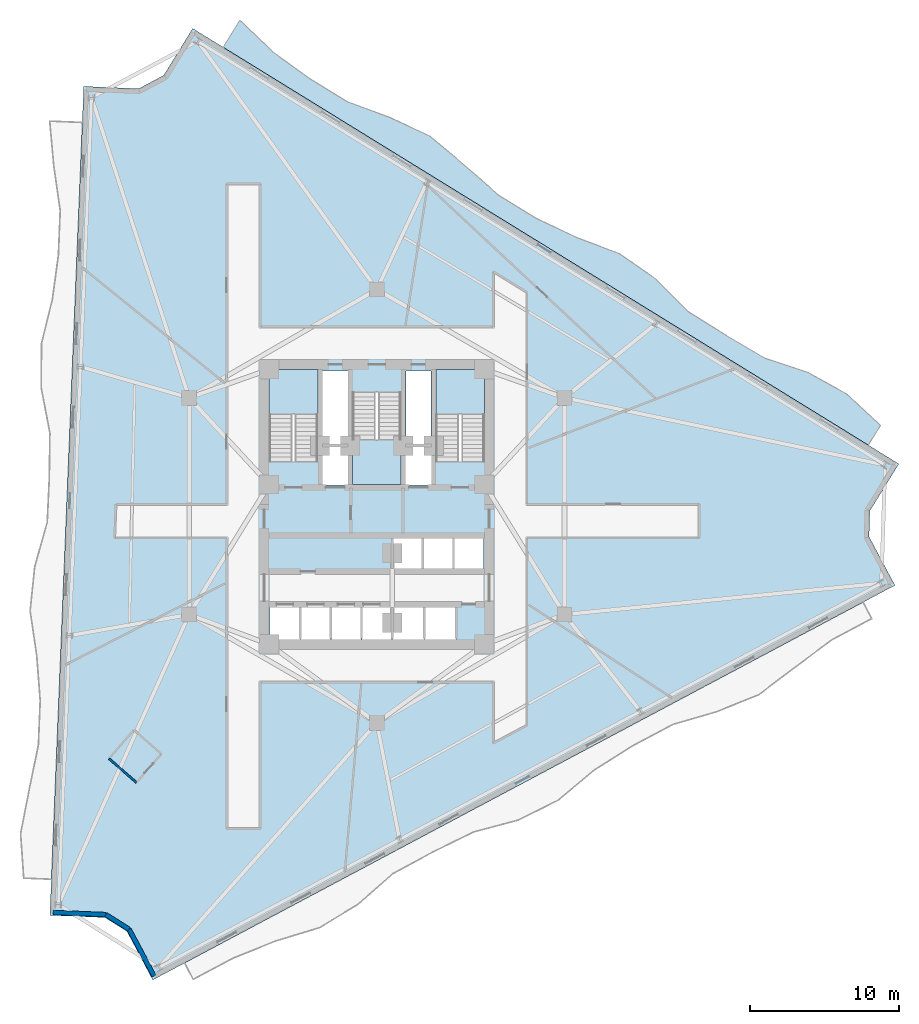
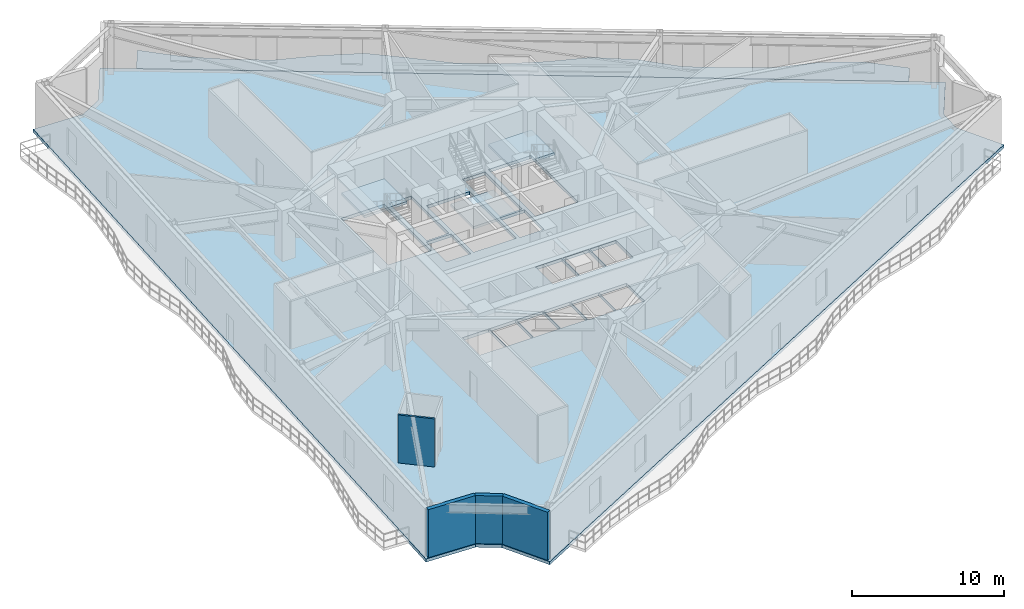
# One storey, part 4 of 12: 5 slabs, 4 walls, 3 elements without a shape of their own.
"""IFC4 building model written with IfcOpenShell, lengths in metres."""

from ifc_helpers import new_model, si_unit, direction, frame, frame_2d, origin, place, context, subcontext, project, spatial, polyline, rectangle, outline, extrude, material, layer, layer_set, type_object, element, aggregate, save


model = new_model("IFC4")

# Units and contexts
model_context = context("Model", 3, precision=1e-05, world=origin(), true_north=direction((0.0, 1.0)))
body_context = subcontext(model_context, "Body", "Model", "MODEL_VIEW")
ifc_project = project(units=[si_unit("LENGTHUNIT", "METRE"), si_unit("AREAUNIT", "SQUARE_METRE"), si_unit("VOLUMEUNIT", "CUBIC_METRE"), si_unit("PLANEANGLEUNIT", "RADIAN"), si_unit("MASSUNIT", "GRAM", prefix="KILO")], contexts=[model_context])

# Site, building, storey
site_placement = place(None, origin())
site = spatial("IfcSite", under=ifc_project, at=site_placement, CompositionType="ELEMENT")
building_placement = place(site_placement, origin())
building = spatial("IfcBuilding", under=site, at=building_placement, Name="Apsidion Concourse Tower", CompositionType="ELEMENT")
storey_placement = place(building_placement, frame((0.0, 0.0, 181.89990234375)))
storey = spatial("IfcBuildingStorey", under=building, at=storey_placement, Name="L42", CompositionType="ELEMENT", Elevation=181.89990234375)

# Slabs
ifc_material_1 = material(Name="Concrete C50/60", Category="concrete")
ifc_layer_1 = layer(ifc_material_1, 0.219970703125)
ifc_layer_set_1 = layer_set([ifc_layer_1], Name="Concrete C50/60")
slab_type_1 = type_object("IfcSlabType", Name="SL-BAL-220", PredefinedType="FLOOR", material=ifc_layer_set_1)
slab_1_placement = place(storey_placement, frame((0.0, 0.0, -0.219970703125)))
element("IfcSlab", 1, at=slab_1_placement, inside=storey, type_object=slab_type_1, Name="L42 Face 3 Rippling Balcony Slab", PredefinedType="FLOOR", context=body_context, shape_type="SweptSolid", body=[
    extrude(outline(polyline([(32.885498046875, 4.086669921875), (30.346435546875, 5.652587890625), (27.8076171875, 7.21826171875), (25.2685546875, 8.783935546875), (22.7294921875, 10.349609375), (20.1904296875, 11.91552734375), (17.651611328125, 13.481201171875), (15.112548828125, 15.047119140625), (12.573486328125, 16.61279296875), (10.034423828125, 18.178466796875), (7.495361328125, 19.744140625), (4.956298828125, 21.31005859375), (2.41748046875, 22.875732421875), (-0.12158203125, 24.44140625), (-2.66064453125, 26.007080078125), (-5.19970703125, 27.572998046875), (-7.738525390625, 29.138671875), (-10.277587890625, 30.70458984375), (-9.16552734375, 32.507568359375), (-6.96142578125, 30.39892578125), (-4.54345703125, 28.636962890625), (-2.00439453125, 27.0712890625), (0.849609375, 26.01611328125), (3.571044921875, 24.74658203125), (5.877197265625, 22.802978515625), (8.151611328125, 20.80810546875), (10.690673828125, 19.242431640625), (13.4052734375, 17.961669921875), (16.2470703125, 16.88671875), (18.6962890625, 15.17578125), (20.863037109375, 13.006103515625), (23.385498046875, 11.413818359375), (25.9580078125, 9.90185546875), (28.865478515625, 8.93408203125), (31.474365234375, 7.4814453125), (33.69921875, 5.406005859375), (32.885498046875, 4.086669921875)])), origin(), (0.0, 0.0, 1.0), 0.219970703125),
])
ifc_layer_2 = layer(ifc_material_1, 0.25)
ifc_layer_set_2 = layer_set([ifc_layer_2], Name="Concrete C50/60")
slab_type_2 = type_object("IfcSlabType", Name="SL-FLR-250", PredefinedType="FLOOR", material=ifc_layer_set_2)
slab_2_placement = place(storey_placement, frame((0.0, 0.0, -0.25)))
element("IfcSlab", 2, at=slab_2_placement, inside=storey, type_object=slab_type_2, Name="L42 Structural Floor Slab", PredefinedType="FLOOR", context=body_context, shape_type="SweptSolid", body=[
    extrude(outline(polyline([(-12.3203125, 31.964111328125), (-14.256103515625, 28.824951171875), (-15.925048828125, 27.937744140625), (-19.610107421875, 28.088134765625), (-21.87548828125, -27.376220703125), (-18.1904296875, -27.526611328125), (-16.724609375, -28.448486328125), (-14.9931640625, -31.705078125), (34.668701171875, -5.29931640625), (32.937255859375, -2.04296875), (32.992431640625, -0.31201171875), (34.92822265625, 2.826904296875), (-12.3203125, 31.964111328125)]), holes=[polyline([(-3.949951171875, 3.0), (-3.949951171875, 9.14990234375), (-7.199951171875, 9.14990234375), (-7.199951171875, 3.0), (-3.949951171875, 3.0)]), polyline([(7.199951171875, 3.0), (7.199951171875, 9.14990234375), (3.949951171875, 9.14990234375), (3.949951171875, 3.0), (7.199951171875, 3.0)]), polyline([(-1.625, 7.60009765625), (-1.625, 1.449951171875), (1.625, 1.449951171875), (1.625, 7.60009765625), (-1.625, 7.60009765625)]), polyline([(1.054931640625, -4.300048828125), (3.044921875, -4.300048828125), (3.044921875, -2.050048828125), (1.054931640625, -2.050048828125), (1.054931640625, -4.300048828125)]), polyline([(3.10498046875, -4.300048828125), (5.094970703125, -4.300048828125), (5.094970703125, -2.050048828125), (3.10498046875, -2.050048828125), (3.10498046875, -4.300048828125)]), polyline([(5.155029296875, -4.300048828125), (7.14501953125, -4.300048828125), (7.14501953125, -2.050048828125), (5.155029296875, -2.050048828125), (5.155029296875, -4.300048828125)]), polyline([(-7.14501953125, -8.949951171875), (-5.155029296875, -8.949951171875), (-5.155029296875, -6.64990234375), (-7.14501953125, -6.64990234375), (-7.14501953125, -8.949951171875)]), polyline([(-5.094970703125, -8.949951171875), (-3.10498046875, -8.949951171875), (-3.10498046875, -6.64990234375), (-5.094970703125, -6.64990234375), (-5.094970703125, -8.949951171875)]), polyline([(-3.044921875, -8.949951171875), (-1.054931640625, -8.949951171875), (-1.054931640625, -6.64990234375), (-3.044921875, -6.64990234375), (-3.044921875, -8.949951171875)]), polyline([(-0.9951171875, -8.949951171875), (0.9951171875, -8.949951171875), (0.9951171875, -6.64990234375), (-0.9951171875, -6.64990234375), (-0.9951171875, -8.949951171875)]), polyline([(1.044921875, -9.0), (3.155029296875, -9.0), (3.155029296875, -6.64990234375), (1.044921875, -6.64990234375), (1.044921875, -9.0)]), polyline([(3.195068359375, -9.0), (5.304931640625, -9.0), (5.304931640625, -6.64990234375), (3.195068359375, -6.64990234375), (3.195068359375, -9.0)]), polyline([(-3.7099609375, 1.39990234375), (-1.85009765625, 1.39990234375), (-1.85009765625, 4.0), (-3.7099609375, 4.0), (-3.7099609375, 1.39990234375)]), polyline([(1.85009765625, 1.39990234375), (3.7099609375, 1.39990234375), (3.7099609375, 4.0), (1.85009765625, 4.0), (1.85009765625, 1.39990234375)]), polyline([(-3.6201171875, 4.14990234375), (-1.93994140625, 4.14990234375), (-1.93994140625, 9.050048828125), (-3.6201171875, 9.050048828125), (-3.6201171875, 4.14990234375)]), polyline([(1.93994140625, 4.14990234375), (3.6201171875, 4.14990234375), (3.6201171875, 9.050048828125), (1.93994140625, 9.050048828125), (1.93994140625, 4.14990234375)])]), origin(), (0.0, 0.0, 1.0), 0.25),
])

# Stair, slab
ifc_material_2 = material(Name="Precast concrete C40/50", Category="concrete")
stair_type = type_object("IfcStairType", Name="ST-DL-1550", PredefinedType="HALF_TURN_STAIR", material=ifc_material_2)
stair_1_placement = place(storey_placement, origin())
stair_1 = element("IfcStair", 3, at=stair_1_placement, inside=storey, type_object=stair_type, Name="L42 Protected Core Exit Stair ST1", PredefinedType="HALF_TURN_STAIR")
ifc_layer_3 = layer(ifc_material_1, 0.199951171875)
ifc_layer_set_3 = layer_set([ifc_layer_3], Name="Concrete C50/60")
slab_type_3 = type_object("IfcSlabType", Name="SL-ST-LAND-200", PredefinedType="LANDING", material=ifc_layer_set_3)
slab_3_placement = place(storey_placement, frame((0.0, 0.0, 1.85009765625)))
slab_3 = element("IfcSlab", 4, at=slab_3_placement, type_object=slab_type_3, Name="ST1 landing 1", PredefinedType="LANDING", context=body_context, shape_type="SweptSolid", body=[
    extrude(outline(polyline([(-3.949951171875, 6.135009765625), (-3.949951171875, 9.14990234375), (-7.199951171875, 9.14990234375), (-7.199951171875, 6.135009765625), (-3.949951171875, 6.135009765625)])), origin(), (0.0, 0.0, 1.0), 0.199951171875),
])
aggregate(stair_1, [slab_3])

stair_2_placement = place(storey_placement, origin())
stair_2 = element("IfcStair", 5, at=stair_2_placement, inside=storey, type_object=stair_type, Name="L42 Protected Core Exit Stair ST2", PredefinedType="HALF_TURN_STAIR")
slab_4_placement = place(storey_placement, frame((0.0, 0.0, 1.85009765625)))
slab_4 = element("IfcSlab", 6, at=slab_4_placement, type_object=slab_type_3, Name="ST2 landing 1", PredefinedType="LANDING", context=body_context, shape_type="SweptSolid", body=[
    extrude(outline(polyline([(7.199951171875, 6.135009765625), (7.199951171875, 9.14990234375), (3.949951171875, 9.14990234375), (3.949951171875, 6.135009765625), (7.199951171875, 6.135009765625)])), origin(), (0.0, 0.0, 1.0), 0.199951171875),
])
aggregate(stair_2, [slab_4])

stair_3_placement = place(storey_placement, origin())
stair_3 = element("IfcStair", 7, at=stair_3_placement, inside=storey, type_object=stair_type, Name="L42 Protected Core Exit Stair ST3", PredefinedType="HALF_TURN_STAIR")
slab_5_placement = place(storey_placement, frame((0.0, 0.0, 1.85009765625)))
slab_5 = element("IfcSlab", 8, at=slab_5_placement, type_object=slab_type_3, Name="ST3 landing 1", PredefinedType="LANDING", context=body_context, shape_type="SweptSolid", body=[
    extrude(outline(polyline([(-1.625, 4.465087890625), (-1.625, 1.449951171875), (1.625, 1.449951171875), (1.625, 4.465087890625), (-1.625, 4.465087890625)])), origin(), (0.0, 0.0, 1.0), 0.199951171875),
])
aggregate(stair_3, [slab_5])

# Walls
ifc_layer_4 = layer(ifc_material_2, 0.300048828125)
ifc_layer_set_4 = layer_set([ifc_layer_4], Name="Precast concrete C40/50")
wall_type_1 = type_object("IfcWallType", Name="WL-EXT-300", PredefinedType="STANDARD", material=ifc_layer_set_4)
wall_1_placement = place(storey_placement, frame((-14.910400390625, -31.4345703125, 0.0), z_axis=(0.0, 0.0, 1.0), x_axis=(-0.469464339615, 0.882951433449, 0.0)))
element("IfcWall", 9, at=wall_1_placement, inside=storey, type_object=wall_type_1, Name="L42 Precast Stone Facade Wall 06", PredefinedType="STANDARD", context=body_context, shape_type="SweptSolid", body=[
    extrude(rectangle(XDim=3.54150390625, YDim=0.300048828125, at=frame_2d((1.770751953125, 0.0))), origin(), (0.0, 0.0, 1.0), 3.85009765625),
])
wall_2_placement = place(storey_placement, frame((-16.572998046875, -28.3076171875, 0.0), z_axis=(0.0, 0.0, 1.0), x_axis=(-0.846450132201, 0.53246800251, 0.0)))
element("IfcWall", 10, at=wall_2_placement, inside=storey, type_object=wall_type_1, Name="L42 Precast Stone Facade Wall 07", PredefinedType="STANDARD", context=body_context, shape_type="SweptSolid", body=[
    extrude(rectangle(XDim=1.838134765625, YDim=0.300048828125, at=frame_2d((0.9189453125, 0.0))), origin(), (0.0, 0.0, 1.0), 3.85009765625),
])
wall_3_placement = place(storey_placement, frame((-18.12890625, -27.328857421875, 0.0), z_axis=(0.0, 0.0, 1.0), x_axis=(-0.999166906151, 0.040810460083, 0.0)))
element("IfcWall", 11, at=wall_3_placement, inside=storey, type_object=wall_type_1, Name="L42 Precast Stone Facade Wall 08", PredefinedType="STANDARD", context=body_context, shape_type="SweptSolid", body=[
    extrude(rectangle(XDim=3.54150390625, YDim=0.300048828125, at=frame_2d((1.770751953125, 0.0))), origin(), (0.0, 0.0, 1.0), 3.85009765625),
])
ifc_material_3 = material(Name="Gypsum plasterboard partition")
ifc_layer_5 = layer(ifc_material_3, 0.139892578125)
ifc_layer_set_5 = layer_set([ifc_layer_5], Name="Gypsum plasterboard partition")
wall_type_2 = type_object("IfcWallType", Name="WL-INT-PAR-140", PredefinedType="PARTITIONING", material=ifc_layer_set_5)
wall_4_placement = place(storey_placement, frame((-17.92138671875, -16.888671875, 0.0), z_axis=(0.0, 0.0, 1.0), x_axis=(0.753592256426, -0.65734215676, 0.0)))
element("IfcWall", 12, at=wall_4_placement, inside=storey, type_object=wall_type_2, Name="L42 Interior Partition WL-L42-POD-OFAWC-S2", PredefinedType="PARTITIONING", context=body_context, shape_type="SweptSolid", body=[
    extrude(rectangle(XDim=2.440185546875, YDim=0.139892578125, at=frame_2d((1.22021484375, 0.0))), origin(), (0.0, 0.0, 1.0), 3.85009765625),
])

save(model, "model.ifc")
